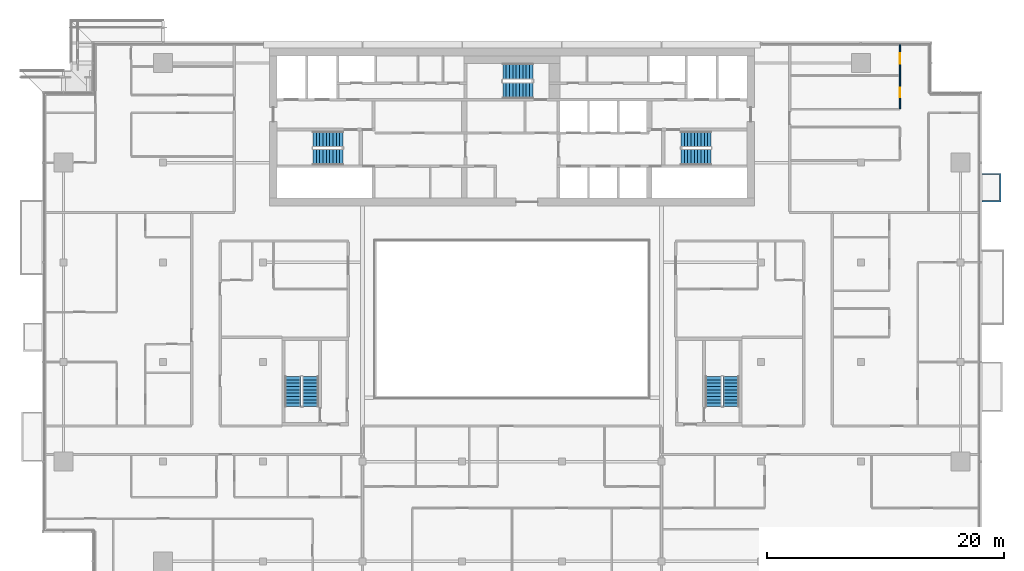
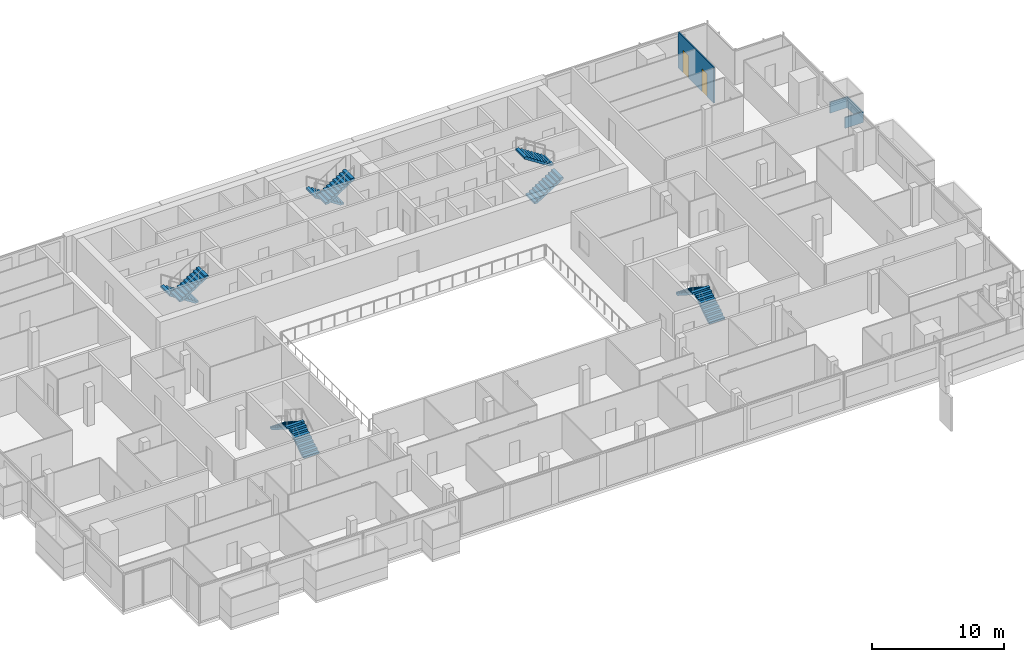
# One storey, part 24 of 30: 10 stair flights, 2 doors, 2 walls, 2 openings, 5 elements without a shape of their own.
"""IFC4 building model written with IfcOpenShell, lengths in metres."""

from ifc_helpers import new_model, si_unit, direction, frame, frame_2d, origin, place, context, subcontext, project, spatial, polyline, rectangle, outline, extrude, material, layer, layer_set, type_object, element, fill, aggregate, save


model = new_model("IFC4")

# Units and contexts
model_context = context("Model", 3, precision=1e-05, world=origin(), true_north=direction((0.0, 1.0)))
body_context = subcontext(model_context, "Body", "Model", "MODEL_VIEW")
ifc_project = project(units=[si_unit("LENGTHUNIT", "METRE"), si_unit("AREAUNIT", "SQUARE_METRE"), si_unit("VOLUMEUNIT", "CUBIC_METRE"), si_unit("PLANEANGLEUNIT", "RADIAN"), si_unit("MASSUNIT", "GRAM", prefix="KILO")], contexts=[model_context])

# Site, building, storey
site_placement = place(None, origin())
site = spatial("IfcSite", under=ifc_project, at=site_placement, CompositionType="ELEMENT")
building_placement = place(site_placement, origin())
building = spatial("IfcBuilding", under=site, at=building_placement, Name="Saffron Gate Tower", CompositionType="ELEMENT")
storey_placement = place(building_placement, frame((0.0, 0.0, 216.300048828125)))
storey = spatial("IfcBuildingStorey", under=building, at=storey_placement, Name="L52", CompositionType="ELEMENT", Elevation=216.300048828125)

# Wall, openings, doors
ifc_material_1 = material(Name="Plasterboard on steel studs", Category="steel")
ifc_layer_1 = layer(ifc_material_1, 0.10009765625)
ifc_layer_set_1 = layer_set([ifc_layer_1], Name="PW1 Partition 100")
wall_type_1 = type_object("IfcWallType", Name="PW1 Partition 100", PredefinedType="PARTITIONING", material=ifc_layer_set_1)
wall_1_placement = place(storey_placement, frame((120.300048828125, 69.949951171875, 0.0), z_axis=(0.0, 0.0, 1.0), x_axis=(0.0, 1.0, 0.0)))
wall_1 = element("IfcWall", 1, at=wall_1_placement, inside=storey, type_object=wall_type_1, Name="Partition D2-113", PredefinedType="PARTITIONING", context=body_context, shape_type="SweptSolid", body=[
    extrude(rectangle(XDim=5.3701171875, YDim=0.10009765625, at=frame_2d((2.68505859375, 0.0))), origin(), (0.0, 0.0, 1.0), 3.320068359375),
])
opening_1_placement = place(wall_1_placement, frame((0.974853515625, 0.0, 0.0)))
opening_1 = element("IfcOpeningElement", 2, at=opening_1_placement, cuts=wall_1, Name="Opening D2-51", PredefinedType="OPENING", context=body_context, shape_type="SweptSolid", body=[
    extrude(rectangle(XDim=0.800048828125, YDim=2.10009765625, at=frame_2d((0.39990234375, 1.050048828125))), frame((0.0, 0.06005859375, 0.0), z_axis=(0.0, -1.0, 0.0), x_axis=(1.0, 0.0, 0.0)), (0.0, 0.0, 1.0), 0.1201171875),
])
opening_2_placement = place(wall_1_placement, frame((3.774658203125, 0.0, 0.0)))
opening_2 = element("IfcOpeningElement", 3, at=opening_2_placement, cuts=wall_1, Name="Opening D2-36", PredefinedType="OPENING", context=body_context, shape_type="SweptSolid", body=[
    extrude(rectangle(XDim=0.89990234375, YDim=2.10009765625, at=frame_2d((0.449951171875, 1.050048828125))), frame((0.0, 0.06005859375, 0.0), z_axis=(0.0, -1.0, 0.0), x_axis=(1.0, 0.0, 0.0)), (0.0, 0.0, 1.0), 0.1201171875),
])
ifc_material_2 = material(Name="Timber door set", Category="wood")
door_type_1 = type_object("IfcDoorType", Name="RD1 Room door 900x2100", OperationType="NOTDEFINED", PredefinedType="DOOR", material=ifc_material_2)
door_1_placement = place(opening_2_placement, origin())
door_1 = element("IfcDoor", 4, at=door_1_placement, inside=storey, type_object=door_type_1, Name="Door D2-36", OperationType="SINGLE_SWING_RIGHT", OverallHeight=2.10009765625, OverallWidth=0.89990234375, PredefinedType="DOOR", context=body_context, shape_type="SweptSolid", body=[
    extrude(rectangle(XDim=0.89990234375, YDim=2.10009765625, at=frame_2d((0.449951171875, 1.050048828125))), frame((0.0, 0.02490234375, 0.0), z_axis=(0.0, -1.0, 0.0), x_axis=(1.0, 0.0, 0.0)), (0.0, 0.0, 1.0), 0.050048828125),
])
fill(opening_2, door_1)
door_type_2 = type_object("IfcDoorType", Name="RD2 Bathroom door 800x2100", OperationType="NOTDEFINED", PredefinedType="DOOR", material=ifc_material_2)
door_2_placement = place(opening_1_placement, origin())
door_2 = element("IfcDoor", 5, at=door_2_placement, inside=storey, type_object=door_type_2, Name="Door D2-51", OperationType="SINGLE_SWING_LEFT", OverallHeight=2.10009765625, OverallWidth=0.800048828125, PredefinedType="DOOR", context=body_context, shape_type="SweptSolid", body=[
    extrude(rectangle(XDim=0.800048828125, YDim=2.10009765625, at=frame_2d((0.39990234375, 1.050048828125))), frame((0.0, 0.02490234375, 0.0), z_axis=(0.0, -1.0, 0.0), x_axis=(1.0, 0.0, 0.0)), (0.0, 0.0, 1.0), 0.050048828125),
])
fill(opening_1, door_2)

# Wall
ifc_material_3 = material(Name="Rendered insulated panel, white")
ifc_layer_2 = layer(ifc_material_3, 0.10009765625)
ifc_layer_set_2 = layer_set([ifc_layer_2], Name="WB3 box parapet white")
wall_type_2 = type_object("IfcWallType", Name="WB3 box parapet white", PredefinedType="SOLIDWALL", material=ifc_layer_set_2)
wall_2_placement = place(storey_placement, origin())
element("IfcWall", 6, at=wall_2_placement, inside=storey, type_object=wall_type_2, Name="WINDOW BOX parapet", PredefinedType="SOLIDWALL", context=body_context, shape_type="SweptSolid", body=[
    extrude(outline(polyline([(127.199951171875, 62.10009765625), (127.199951171875, 62.199951171875), (128.699951171875, 62.199951171875), (128.699951171875, 64.39990234375), (127.199951171875, 64.39990234375), (127.199951171875, 64.5), (128.800048828125, 64.5), (128.800048828125, 62.10009765625), (127.199951171875, 62.10009765625)])), origin(), (0.0, 0.0, 1.0), 1.0),
])

# Stair, stair flights
ifc_material_4 = material(Name="Concrete C40", Category="concrete")
stair_type = type_object("IfcStairType", Name="ST7 Stair 1350 wide, 20 risers of 180", PredefinedType="HALF_TURN_STAIR", material=ifc_material_4)
stair_1_placement = place(storey_placement, origin())
stair_1 = element("IfcStair", 7, at=stair_1_placement, inside=storey, type_object=stair_type, Name="L52 Exit stair A", PredefinedType="HALF_TURN_STAIR")
stair_flight_type = type_object("IfcStairFlightType", Name="SF3 Stair flight 1350 wide, riser 180 going 280", PredefinedType="STRAIGHT", material=ifc_material_4)
stair_flight_1_placement = place(storey_placement, frame((73.35009765625, 67.375, 0.0), z_axis=(0.0, 0.0, 1.0), x_axis=(-1.0, 0.0, 0.0)))
stair_flight_1 = element("IfcStairFlight", 8, at=stair_flight_1_placement, type_object=stair_flight_type, Name="ST-A flight 1", NumberOfRisers=10, NumberOfTreads=9, PredefinedType="STRAIGHT", RiserHeight=0.18, TreadLength=0.28, context=body_context, shape_type="SweptSolid", body=[
    extrude(outline(polyline([(0.0, 0.0), (0.0, 0.179931640625), (0.280029296875, 0.179931640625), (0.280029296875, 0.360107421875), (0.56005859375, 0.360107421875), (0.56005859375, 0.5400390625), (0.840087890625, 0.5400390625), (0.840087890625, 0.719970703125), (1.1201171875, 0.719970703125), (1.1201171875, 0.89990234375), (1.39990234375, 0.89990234375), (1.39990234375, 1.080078125), (1.679931640625, 1.080078125), (1.679931640625, 1.260009765625), (1.9599609375, 1.260009765625), (1.9599609375, 1.43994140625), (2.239990234375, 1.43994140625), (2.239990234375, 1.6201171875), (2.52001953125, 1.6201171875), (2.52001953125, 1.800048828125), (2.52001953125, 1.44189453125), (0.277099609375, 0.0), (0.0, 0.0)])), frame((0.0, 0.675048828125, 0.0), z_axis=(0.0, -1.0, 0.0), x_axis=(1.0, 0.0, 0.0)), (0.0, 0.0, 1.0), 1.35009765625),
])
stair_flight_2_placement = place(storey_placement, frame((70.830078125, 65.875, 1.800048828125), z_axis=(0.0, 0.0, 1.0), x_axis=(1.0, 0.0, 0.0)))
stair_flight_2 = element("IfcStairFlight", 9, at=stair_flight_2_placement, type_object=stair_flight_type, Name="ST-A flight 2", NumberOfRisers=10, NumberOfTreads=9, PredefinedType="STRAIGHT", RiserHeight=0.18, TreadLength=0.28, context=body_context, shape_type="SweptSolid", body=[
    extrude(outline(polyline([(0.0, 0.0), (0.0, 0.179931640625), (0.280029296875, 0.179931640625), (0.280029296875, 0.360107421875), (0.56005859375, 0.360107421875), (0.56005859375, 0.5400390625), (0.840087890625, 0.5400390625), (0.840087890625, 0.719970703125), (1.1201171875, 0.719970703125), (1.1201171875, 0.89990234375), (1.39990234375, 0.89990234375), (1.39990234375, 1.080078125), (1.679931640625, 1.080078125), (1.679931640625, 1.260009765625), (1.9599609375, 1.260009765625), (1.9599609375, 1.43994140625), (2.239990234375, 1.43994140625), (2.239990234375, 1.6201171875), (2.52001953125, 1.6201171875), (2.52001953125, 1.800048828125), (2.52001953125, 1.44189453125), (0.277099609375, 0.0), (0.0, 0.0)])), frame((0.0, 0.675048828125, 0.0), z_axis=(0.0, -1.0, 0.0), x_axis=(1.0, 0.0, 0.0)), (0.0, 0.0, 1.0), 1.35009765625),
])
aggregate(stair_1, [stair_flight_1, stair_flight_2])

stair_2_placement = place(storey_placement, origin())
stair_2 = element("IfcStair", 10, at=stair_2_placement, inside=storey, type_object=stair_type, Name="L52 Exit stair B", PredefinedType="HALF_TURN_STAIR")
stair_flight_3_placement = place(storey_placement, frame((101.85009765625, 65.875, 0.0), z_axis=(0.0, 0.0, 1.0), x_axis=(1.0, 0.0, 0.0)))
stair_flight_3 = element("IfcStairFlight", 11, at=stair_flight_3_placement, type_object=stair_flight_type, Name="ST-B flight 1", NumberOfRisers=10, NumberOfTreads=9, PredefinedType="STRAIGHT", RiserHeight=0.18, TreadLength=0.28, context=body_context, shape_type="SweptSolid", body=[
    extrude(outline(polyline([(0.0, 0.0), (0.0, 0.179931640625), (0.280029296875, 0.179931640625), (0.280029296875, 0.360107421875), (0.56005859375, 0.360107421875), (0.56005859375, 0.5400390625), (0.840087890625, 0.5400390625), (0.840087890625, 0.719970703125), (1.1201171875, 0.719970703125), (1.1201171875, 0.89990234375), (1.39990234375, 0.89990234375), (1.39990234375, 1.080078125), (1.679931640625, 1.080078125), (1.679931640625, 1.260009765625), (1.9599609375, 1.260009765625), (1.9599609375, 1.43994140625), (2.239990234375, 1.43994140625), (2.239990234375, 1.6201171875), (2.52001953125, 1.6201171875), (2.52001953125, 1.800048828125), (2.52001953125, 1.44189453125), (0.277099609375, 0.0), (0.0, 0.0)])), frame((0.0, 0.675048828125, 0.0), z_axis=(0.0, -1.0, 0.0), x_axis=(1.0, 0.0, 0.0)), (0.0, 0.0, 1.0), 1.35009765625),
])
stair_flight_4_placement = place(storey_placement, frame((104.3701171875, 67.375, 1.800048828125), z_axis=(0.0, 0.0, 1.0), x_axis=(-1.0, 0.0, 0.0)))
stair_flight_4 = element("IfcStairFlight", 12, at=stair_flight_4_placement, type_object=stair_flight_type, Name="ST-B flight 2", NumberOfRisers=10, NumberOfTreads=9, PredefinedType="STRAIGHT", RiserHeight=0.18, TreadLength=0.28, context=body_context, shape_type="SweptSolid", body=[
    extrude(outline(polyline([(0.0, 0.0), (0.0, 0.179931640625), (0.280029296875, 0.179931640625), (0.280029296875, 0.360107421875), (0.56005859375, 0.360107421875), (0.56005859375, 0.5400390625), (0.840087890625, 0.5400390625), (0.840087890625, 0.719970703125), (1.1201171875, 0.719970703125), (1.1201171875, 0.89990234375), (1.39990234375, 0.89990234375), (1.39990234375, 1.080078125), (1.679931640625, 1.080078125), (1.679931640625, 1.260009765625), (1.9599609375, 1.260009765625), (1.9599609375, 1.43994140625), (2.239990234375, 1.43994140625), (2.239990234375, 1.6201171875), (2.52001953125, 1.6201171875), (2.52001953125, 1.800048828125), (2.52001953125, 1.44189453125), (0.277099609375, 0.0), (0.0, 0.0)])), frame((0.0, 0.675048828125, 0.0), z_axis=(0.0, -1.0, 0.0), x_axis=(1.0, 0.0, 0.0)), (0.0, 0.0, 1.0), 1.35009765625),
])
aggregate(stair_2, [stair_flight_3, stair_flight_4])

stair_3_placement = place(storey_placement, origin())
stair_3 = element("IfcStair", 13, at=stair_3_placement, inside=storey, type_object=stair_type, Name="L52 Exit stair C", PredefinedType="HALF_TURN_STAIR")
stair_flight_5_placement = place(storey_placement, frame((89.35009765625, 73.074951171875, 0.0), z_axis=(0.0, 0.0, 1.0), x_axis=(-1.0, 0.0, 0.0)))
stair_flight_5 = element("IfcStairFlight", 14, at=stair_flight_5_placement, type_object=stair_flight_type, Name="ST-C flight 1", NumberOfRisers=10, NumberOfTreads=9, PredefinedType="STRAIGHT", RiserHeight=0.18, TreadLength=0.28, context=body_context, shape_type="SweptSolid", body=[
    extrude(outline(polyline([(0.0, 0.0), (0.0, 0.179931640625), (0.280029296875, 0.179931640625), (0.280029296875, 0.360107421875), (0.56005859375, 0.360107421875), (0.56005859375, 0.5400390625), (0.840087890625, 0.5400390625), (0.840087890625, 0.719970703125), (1.1201171875, 0.719970703125), (1.1201171875, 0.89990234375), (1.39990234375, 0.89990234375), (1.39990234375, 1.080078125), (1.679931640625, 1.080078125), (1.679931640625, 1.260009765625), (1.9599609375, 1.260009765625), (1.9599609375, 1.43994140625), (2.239990234375, 1.43994140625), (2.239990234375, 1.6201171875), (2.52001953125, 1.6201171875), (2.52001953125, 1.800048828125), (2.52001953125, 1.44189453125), (0.277099609375, 0.0), (0.0, 0.0)])), frame((0.0, 0.675048828125, 0.0), z_axis=(0.0, -1.0, 0.0), x_axis=(1.0, 0.0, 0.0)), (0.0, 0.0, 1.0), 1.35009765625),
])
stair_flight_6_placement = place(storey_placement, frame((86.830078125, 71.47509765625, 1.800048828125), z_axis=(0.0, 0.0, 1.0), x_axis=(1.0, 0.0, 0.0)))
stair_flight_6 = element("IfcStairFlight", 15, at=stair_flight_6_placement, type_object=stair_flight_type, Name="ST-C flight 2", NumberOfRisers=10, NumberOfTreads=9, PredefinedType="STRAIGHT", RiserHeight=0.18, TreadLength=0.28, context=body_context, shape_type="SweptSolid", body=[
    extrude(outline(polyline([(0.0, 0.0), (0.0, 0.179931640625), (0.280029296875, 0.179931640625), (0.280029296875, 0.360107421875), (0.56005859375, 0.360107421875), (0.56005859375, 0.5400390625), (0.840087890625, 0.5400390625), (0.840087890625, 0.719970703125), (1.1201171875, 0.719970703125), (1.1201171875, 0.89990234375), (1.39990234375, 0.89990234375), (1.39990234375, 1.080078125), (1.679931640625, 1.080078125), (1.679931640625, 1.260009765625), (1.9599609375, 1.260009765625), (1.9599609375, 1.43994140625), (2.239990234375, 1.43994140625), (2.239990234375, 1.6201171875), (2.52001953125, 1.6201171875), (2.52001953125, 1.800048828125), (2.52001953125, 1.44189453125), (0.277099609375, 0.0), (0.0, 0.0)])), frame((0.0, 0.675048828125, 0.0), z_axis=(0.0, -1.0, 0.0), x_axis=(1.0, 0.0, 0.0)), (0.0, 0.0, 1.0), 1.35009765625),
])
aggregate(stair_3, [stair_flight_5, stair_flight_6])

stair_4_placement = place(storey_placement, origin())
stair_4 = element("IfcStair", 16, at=stair_4_placement, inside=storey, type_object=stair_type, Name="L52 Exit stair D", PredefinedType="HALF_TURN_STAIR")
stair_flight_7_placement = place(storey_placement, frame((70.625, 44.85009765625, 0.0), z_axis=(0.0, 0.0, 1.0), x_axis=(0.0, 1.0, 0.0)))
stair_flight_7 = element("IfcStairFlight", 17, at=stair_flight_7_placement, type_object=stair_flight_type, Name="ST-D flight 1", NumberOfRisers=10, NumberOfTreads=9, PredefinedType="STRAIGHT", RiserHeight=0.18, TreadLength=0.28, context=body_context, shape_type="SweptSolid", body=[
    extrude(outline(polyline([(0.0, 0.0), (0.0, 0.179931640625), (0.280029296875, 0.179931640625), (0.280029296875, 0.360107421875), (0.56005859375, 0.360107421875), (0.56005859375, 0.5400390625), (0.840087890625, 0.5400390625), (0.840087890625, 0.719970703125), (1.1201171875, 0.719970703125), (1.1201171875, 0.89990234375), (1.39990234375, 0.89990234375), (1.39990234375, 1.080078125), (1.679931640625, 1.080078125), (1.679931640625, 1.260009765625), (1.9599609375, 1.260009765625), (1.9599609375, 1.43994140625), (2.239990234375, 1.43994140625), (2.239990234375, 1.6201171875), (2.52001953125, 1.6201171875), (2.52001953125, 1.800048828125), (2.52001953125, 1.44189453125), (0.277099609375, 0.0), (0.0, 0.0)])), frame((0.0, 0.675048828125, 0.0), z_axis=(0.0, -1.0, 0.0), x_axis=(1.0, 0.0, 0.0)), (0.0, 0.0, 1.0), 1.35009765625),
])
stair_flight_8_placement = place(storey_placement, frame((69.125, 47.3701171875, 1.800048828125), z_axis=(0.0, 0.0, 1.0), x_axis=(0.0, -1.0, 0.0)))
stair_flight_8 = element("IfcStairFlight", 18, at=stair_flight_8_placement, type_object=stair_flight_type, Name="ST-D flight 2", NumberOfRisers=10, NumberOfTreads=9, PredefinedType="STRAIGHT", RiserHeight=0.18, TreadLength=0.28, context=body_context, shape_type="SweptSolid", body=[
    extrude(outline(polyline([(0.0, 0.0), (0.0, 0.179931640625), (0.280029296875, 0.179931640625), (0.280029296875, 0.360107421875), (0.56005859375, 0.360107421875), (0.56005859375, 0.5400390625), (0.840087890625, 0.5400390625), (0.840087890625, 0.719970703125), (1.1201171875, 0.719970703125), (1.1201171875, 0.89990234375), (1.39990234375, 0.89990234375), (1.39990234375, 1.080078125), (1.679931640625, 1.080078125), (1.679931640625, 1.260009765625), (1.9599609375, 1.260009765625), (1.9599609375, 1.43994140625), (2.239990234375, 1.43994140625), (2.239990234375, 1.6201171875), (2.52001953125, 1.6201171875), (2.52001953125, 1.800048828125), (2.52001953125, 1.44189453125), (0.277099609375, 0.0), (0.0, 0.0)])), frame((0.0, 0.675048828125, 0.0), z_axis=(0.0, -1.0, 0.0), x_axis=(1.0, 0.0, 0.0)), (0.0, 0.0, 1.0), 1.35009765625),
])
aggregate(stair_4, [stair_flight_7, stair_flight_8])

stair_5_placement = place(storey_placement, origin())
stair_5 = element("IfcStair", 19, at=stair_5_placement, inside=storey, type_object=stair_type, Name="L52 Exit stair E", PredefinedType="HALF_TURN_STAIR")
stair_flight_9_placement = place(storey_placement, frame((106.074951171875, 44.85009765625, 0.0), z_axis=(0.0, 0.0, 1.0), x_axis=(0.0, 1.0, 0.0)))
stair_flight_9 = element("IfcStairFlight", 20, at=stair_flight_9_placement, type_object=stair_flight_type, Name="ST-E flight 1", NumberOfRisers=10, NumberOfTreads=9, PredefinedType="STRAIGHT", RiserHeight=0.18, TreadLength=0.28, context=body_context, shape_type="SweptSolid", body=[
    extrude(outline(polyline([(0.0, 0.0), (0.0, 0.179931640625), (0.280029296875, 0.179931640625), (0.280029296875, 0.360107421875), (0.56005859375, 0.360107421875), (0.56005859375, 0.5400390625), (0.840087890625, 0.5400390625), (0.840087890625, 0.719970703125), (1.1201171875, 0.719970703125), (1.1201171875, 0.89990234375), (1.39990234375, 0.89990234375), (1.39990234375, 1.080078125), (1.679931640625, 1.080078125), (1.679931640625, 1.260009765625), (1.9599609375, 1.260009765625), (1.9599609375, 1.43994140625), (2.239990234375, 1.43994140625), (2.239990234375, 1.6201171875), (2.52001953125, 1.6201171875), (2.52001953125, 1.800048828125), (2.52001953125, 1.44189453125), (0.277099609375, 0.0), (0.0, 0.0)])), frame((0.0, 0.675048828125, 0.0), z_axis=(0.0, -1.0, 0.0), x_axis=(1.0, 0.0, 0.0)), (0.0, 0.0, 1.0), 1.35009765625),
])
stair_flight_10_placement = place(storey_placement, frame((104.574951171875, 47.3701171875, 1.800048828125), z_axis=(0.0, 0.0, 1.0), x_axis=(0.0, -1.0, 0.0)))
stair_flight_10 = element("IfcStairFlight", 21, at=stair_flight_10_placement, type_object=stair_flight_type, Name="ST-E flight 2", NumberOfRisers=10, NumberOfTreads=9, PredefinedType="STRAIGHT", RiserHeight=0.18, TreadLength=0.28, context=body_context, shape_type="SweptSolid", body=[
    extrude(outline(polyline([(0.0, 0.0), (0.0, 0.179931640625), (0.280029296875, 0.179931640625), (0.280029296875, 0.360107421875), (0.56005859375, 0.360107421875), (0.56005859375, 0.5400390625), (0.840087890625, 0.5400390625), (0.840087890625, 0.719970703125), (1.1201171875, 0.719970703125), (1.1201171875, 0.89990234375), (1.39990234375, 0.89990234375), (1.39990234375, 1.080078125), (1.679931640625, 1.080078125), (1.679931640625, 1.260009765625), (1.9599609375, 1.260009765625), (1.9599609375, 1.43994140625), (2.239990234375, 1.43994140625), (2.239990234375, 1.6201171875), (2.52001953125, 1.6201171875), (2.52001953125, 1.800048828125), (2.52001953125, 1.44189453125), (0.277099609375, 0.0), (0.0, 0.0)])), frame((0.0, 0.675048828125, 0.0), z_axis=(0.0, -1.0, 0.0), x_axis=(1.0, 0.0, 0.0)), (0.0, 0.0, 1.0), 1.35009765625),
])
aggregate(stair_5, [stair_flight_9, stair_flight_10])

save(model, "model.ifc")
